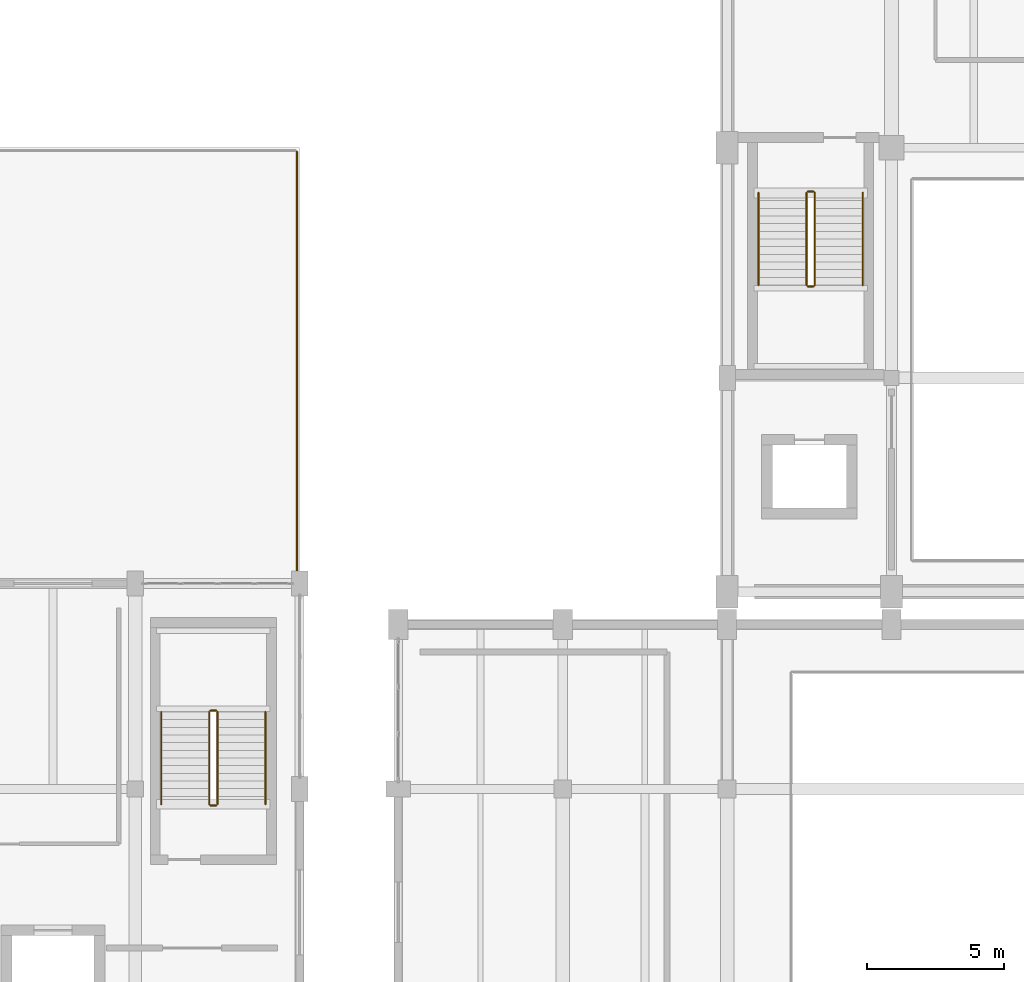
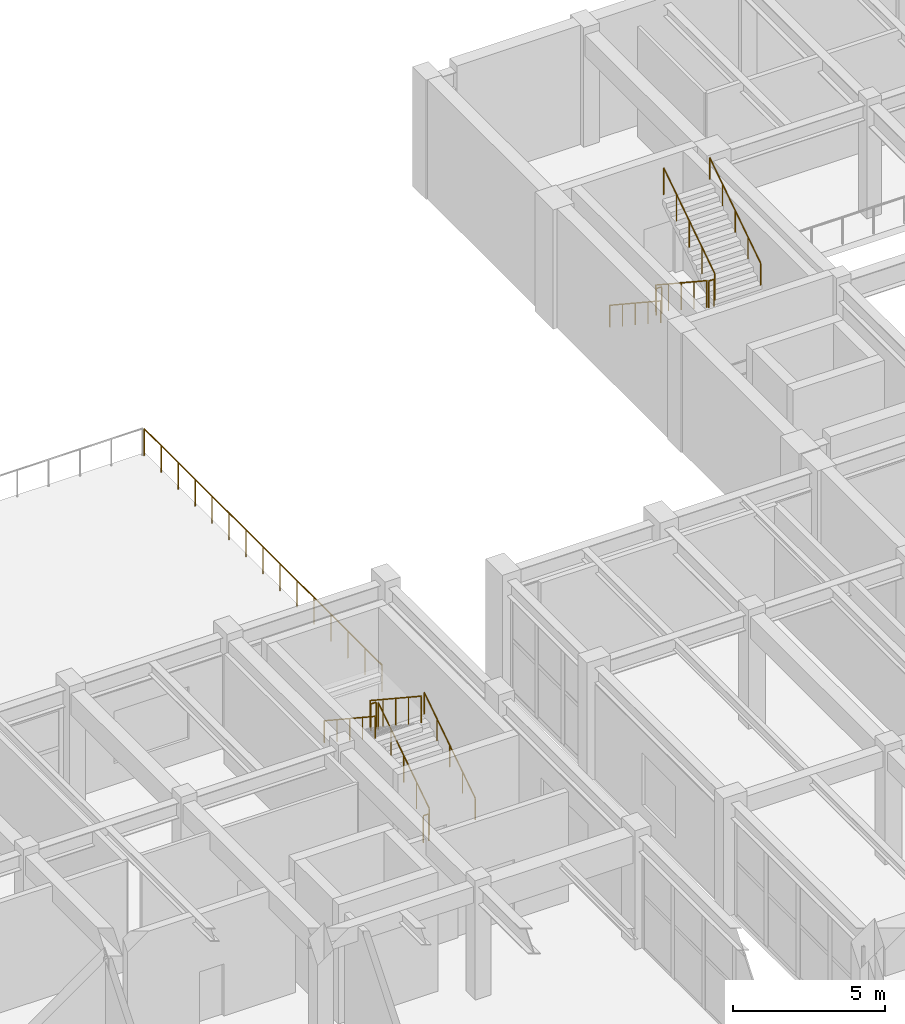
# One storey, part 77 of 80: 13 railings.
"""IFC4 building model written with IfcOpenShell, lengths in metres."""

from ifc_helpers import new_model, si_unit, direction, frame, origin, origin_2d, place, context, subcontext, project, spatial, circle, extrude, material, type_object, element, save


model = new_model("IFC4")

# Units and contexts
model_context = context("Model", 3, precision=1e-05, world=origin(), true_north=direction((0.0, 1.0)))
body_context = subcontext(model_context, "Body", "Model", "MODEL_VIEW")
ifc_project = project(units=[si_unit("LENGTHUNIT", "METRE"), si_unit("AREAUNIT", "SQUARE_METRE"), si_unit("VOLUMEUNIT", "CUBIC_METRE"), si_unit("PLANEANGLEUNIT", "RADIAN"), si_unit("MASSUNIT", "GRAM", prefix="KILO")], contexts=[model_context])

# Site, building, storey
site_placement = place(None, origin())
site = spatial("IfcSite", under=ifc_project, at=site_placement, CompositionType="ELEMENT")
building_placement = place(site_placement, origin())
building = spatial("IfcBuilding", under=site, at=building_placement, Name="Vaelkrest Opera House", CompositionType="ELEMENT")
storey_placement = place(building_placement, frame((0.0, 0.0, 15.0)))
storey = spatial("IfcBuildingStorey", under=building, at=storey_placement, Name="L03", CompositionType="ELEMENT", Elevation=15.0)

# Railings
ifc_material = material(Name="Dark bronze anodized aluminium", Category="aluminium")
railing_type_1 = type_object("IfcRailingType", Name="GR01", PredefinedType="GUARDRAIL", material=ifc_material)
railing_1_placement = place(storey_placement, frame((-33.699951171875, 33.4599609375, 0.0)))
element("IfcRailing", 1, at=railing_1_placement, inside=storey, type_object=railing_type_1, Name="L03 Rehearsal Roof Garden guardrail seg 3", PredefinedType="GUARDRAIL", context=body_context, shape_type="SweptSolid", body=[
    extrude(circle(Radius=0.02392578125, at=origin_2d()), frame((0.0, 0.0, 1.076171875), z_axis=(0.0, -1.0, 0.0), x_axis=(1.0, 0.0, 0.0)), (0.0, 0.0, 1.0), 15.669921875),
    extrude(circle(Radius=0.02099609375, at=origin_2d()), origin(), (0.0, 0.0, 1.0), 1.052001953125),
    extrude(circle(Radius=0.02099609375, at=origin_2d()), frame((0.0, -1.119384765625, 0.0)), (0.0, 0.0, 1.0), 1.052001953125),
    extrude(circle(Radius=0.02099609375, at=origin_2d()), frame((0.0, -2.238525390625, 0.0)), (0.0, 0.0, 1.0), 1.052001953125),
    extrude(circle(Radius=0.02099609375, at=origin_2d()), frame((0.0, -3.35791015625, 0.0)), (0.0, 0.0, 1.0), 1.052001953125),
    extrude(circle(Radius=0.02099609375, at=origin_2d()), frame((0.0, -4.47705078125, 0.0)), (0.0, 0.0, 1.0), 1.052001953125),
    extrude(circle(Radius=0.02099609375, at=origin_2d()), frame((0.0, -5.596435546875, 0.0)), (0.0, 0.0, 1.0), 1.052001953125),
    extrude(circle(Radius=0.02099609375, at=origin_2d()), frame((0.0, -6.715576171875, 0.0)), (0.0, 0.0, 1.0), 1.052001953125),
    extrude(circle(Radius=0.02099609375, at=origin_2d()), frame((0.0, -7.8349609375, 0.0)), (0.0, 0.0, 1.0), 1.052001953125),
    extrude(circle(Radius=0.02099609375, at=origin_2d()), frame((0.0, -8.954345703125, 0.0)), (0.0, 0.0, 1.0), 1.052001953125),
    extrude(circle(Radius=0.02099609375, at=origin_2d()), frame((0.0, -10.073486328125, 0.0)), (0.0, 0.0, 1.0), 1.052001953125),
    extrude(circle(Radius=0.02099609375, at=origin_2d()), frame((0.0, -11.19287109375, 0.0)), (0.0, 0.0, 1.0), 1.052001953125),
    extrude(circle(Radius=0.02099609375, at=origin_2d()), frame((0.0, -12.31201171875, 0.0)), (0.0, 0.0, 1.0), 1.052001953125),
    extrude(circle(Radius=0.02099609375, at=origin_2d()), frame((0.0, -13.431396484375, 0.0)), (0.0, 0.0, 1.0), 1.052001953125),
    extrude(circle(Radius=0.02099609375, at=origin_2d()), frame((0.0, -14.550537109375, 0.0)), (0.0, 0.0, 1.0), 1.052001953125),
    extrude(circle(Radius=0.02099609375, at=origin_2d()), frame((0.0, -15.669921875, 0.0)), (0.0, 0.0, 1.0), 1.052001953125),
])
railing_type_2 = type_object("IfcRailingType", Name="GR02", PredefinedType="GUARDRAIL", material=ifc_material)
railing_2_placement = place(storey_placement, frame((-15.10009765625, 31.949951171875, 0.1845703125)))
element("IfcRailing", 2, at=railing_2_placement, inside=storey, type_object=railing_type_2, Name="L03 ST05 stair guard 1", PredefinedType="GUARDRAIL", context=body_context, shape_type="SweptSolid", body=[
    extrude(circle(Radius=0.02392578125, at=origin_2d()), frame((0.0, 0.0, 1.076171875), z_axis=(0.0, -0.834858096282, 0.550465220583), x_axis=(1.0, 0.0, 0.0)), (0.0, 0.0, 1.0), 4.0244140625),
    extrude(circle(Radius=0.02099609375, at=origin_2d()), origin(), (0.0, 0.0, 1.0), 1.052001953125),
    extrude(circle(Radius=0.02099609375, at=origin_2d()), frame((0.0, -0.83984375, 0.5537109375)), (0.0, 0.0, 1.0), 1.052001953125),
    extrude(circle(Radius=0.02099609375, at=origin_2d()), frame((0.0, -1.679931640625, 1.107666015625)), (0.0, 0.0, 1.0), 1.052001953125),
    extrude(circle(Radius=0.02099609375, at=origin_2d()), frame((0.0, -2.52001953125, 1.66162109375)), (0.0, 0.0, 1.0), 1.052001953125),
    extrude(circle(Radius=0.02099609375, at=origin_2d()), frame((0.0, -3.35986328125, 2.21533203125)), (0.0, 0.0, 1.0), 1.052001953125),
])
railing_3_placement = place(storey_placement, frame((-15.050048828125, 28.5400390625, 2.39990234375)))
element("IfcRailing", 3, at=railing_3_placement, inside=storey, type_object=railing_type_2, Name="L03 ST05 stair guard 2", PredefinedType="GUARDRAIL", context=body_context, shape_type="SweptSolid", body=[
    extrude(circle(Radius=0.02392578125, at=origin_2d()), frame((0.0, 0.0, 1.076171875), z_axis=(1.0, 0.0, 0.0), x_axis=(0.0, 1.0, 0.0)), (0.0, 0.0, 1.0), 0.199951171875),
    extrude(circle(Radius=0.02099609375, at=origin_2d()), origin(), (0.0, 0.0, 1.0), 1.052001953125),
    extrude(circle(Radius=0.02099609375, at=origin_2d()), frame((0.199951171875, 0.0, 0.0)), (0.0, 0.0, 1.0), 1.052001953125),
])
railing_4_placement = place(storey_placement, frame((-14.800048828125, 28.590087890625, 2.584716796875)))
element("IfcRailing", 4, at=railing_4_placement, inside=storey, type_object=railing_type_2, Name="L03 ST05 stair guard 3", PredefinedType="GUARDRAIL", context=body_context, shape_type="SweptSolid", body=[
    extrude(circle(Radius=0.02392578125, at=origin_2d()), frame((0.0, 0.0, 1.076171875), z_axis=(0.0, 0.834858096282, 0.550465220583), x_axis=(-1.0, 0.0, 0.0)), (0.0, 0.0, 1.0), 4.0244140625),
    extrude(circle(Radius=0.02099609375, at=origin_2d()), origin(), (0.0, 0.0, 1.0), 1.052001953125),
    extrude(circle(Radius=0.02099609375, at=origin_2d()), frame((0.0, 0.83984375, 0.5537109375)), (0.0, 0.0, 1.0), 1.052001953125),
    extrude(circle(Radius=0.02099609375, at=origin_2d()), frame((0.0, 1.679931640625, 1.107666015625)), (0.0, 0.0, 1.0), 1.052001953125),
    extrude(circle(Radius=0.02099609375, at=origin_2d()), frame((0.0, 2.52001953125, 1.66162109375)), (0.0, 0.0, 1.0), 1.052001953125),
    extrude(circle(Radius=0.02099609375, at=origin_2d()), frame((0.0, 3.35986328125, 2.21533203125)), (0.0, 0.0, 1.0), 1.052001953125),
])
railing_5_placement = place(storey_placement, frame((-15.050048828125, 32.0, 0.0)))
element("IfcRailing", 5, at=railing_5_placement, inside=storey, type_object=railing_type_2, Name="L03 ST05 stair guard 4", PredefinedType="GUARDRAIL", context=body_context, shape_type="SweptSolid", body=[
    extrude(circle(Radius=0.02392578125, at=origin_2d()), frame((0.0, 0.0, 1.076171875), z_axis=(1.0, 0.0, 0.0), x_axis=(0.0, 1.0, 0.0)), (0.0, 0.0, 1.0), 0.199951171875),
    extrude(circle(Radius=0.02099609375, at=origin_2d()), origin(), (0.0, 0.0, 1.0), 1.052001953125),
    extrude(circle(Radius=0.02099609375, at=origin_2d()), frame((0.199951171875, 0.0, 0.0)), (0.0, 0.0, 1.0), 1.052001953125),
])
railing_6_placement = place(storey_placement, frame((-36.60009765625, 9.64990234375, 0.1845703125)))
element("IfcRailing", 6, at=railing_6_placement, inside=storey, type_object=railing_type_2, Name="L03 ST08 stair guard 1", PredefinedType="GUARDRAIL", context=body_context, shape_type="SweptSolid", body=[
    extrude(circle(Radius=0.02392578125, at=origin_2d()), frame((0.0, 0.0, 1.076171875), z_axis=(0.0, 0.834876476806, 0.550437342915), x_axis=(-1.0, 0.0, 0.0)), (0.0, 0.0, 1.0), 4.024658203125),
    extrude(circle(Radius=0.02099609375, at=origin_2d()), origin(), (0.0, 0.0, 1.0), 1.052001953125),
    extrude(circle(Radius=0.02099609375, at=origin_2d()), frame((0.0, 0.840087890625, 0.5537109375)), (0.0, 0.0, 1.0), 1.052001953125),
    extrude(circle(Radius=0.02099609375, at=origin_2d()), frame((0.0, 1.68017578125, 1.107666015625)), (0.0, 0.0, 1.0), 1.052001953125),
    extrude(circle(Radius=0.02099609375, at=origin_2d()), frame((0.0, 2.52001953125, 1.66162109375)), (0.0, 0.0, 1.0), 1.052001953125),
    extrude(circle(Radius=0.02099609375, at=origin_2d()), frame((0.0, 3.360107421875, 2.21533203125)), (0.0, 0.0, 1.0), 1.052001953125),
])
railing_7_placement = place(storey_placement, frame((-36.64990234375, 13.06005859375, 2.39990234375)))
element("IfcRailing", 7, at=railing_7_placement, inside=storey, type_object=railing_type_2, Name="L03 ST08 stair guard 2", PredefinedType="GUARDRAIL", context=body_context, shape_type="SweptSolid", body=[
    extrude(circle(Radius=0.02392578125, at=origin_2d()), frame((0.0, 0.0, 1.076171875), z_axis=(-1.0, 0.0, 0.0), x_axis=(0.0, -1.0, 0.0)), (0.0, 0.0, 1.0), 0.2001953125),
    extrude(circle(Radius=0.02099609375, at=origin_2d()), origin(), (0.0, 0.0, 1.0), 1.052001953125),
    extrude(circle(Radius=0.02099609375, at=origin_2d()), frame((-0.2001953125, 0.0, 0.0)), (0.0, 0.0, 1.0), 1.052001953125),
])
railing_8_placement = place(storey_placement, frame((-36.89990234375, 13.010009765625, 2.584716796875)))
element("IfcRailing", 8, at=railing_8_placement, inside=storey, type_object=railing_type_2, Name="L03 ST08 stair guard 3", PredefinedType="GUARDRAIL", context=body_context, shape_type="SweptSolid", body=[
    extrude(circle(Radius=0.02392578125, at=origin_2d()), frame((0.0, 0.0, 1.076171875), z_axis=(0.0, -0.834876476806, 0.550437342915), x_axis=(1.0, 0.0, 0.0)), (0.0, 0.0, 1.0), 4.024658203125),
    extrude(circle(Radius=0.02099609375, at=origin_2d()), origin(), (0.0, 0.0, 1.0), 1.052001953125),
    extrude(circle(Radius=0.02099609375, at=origin_2d()), frame((0.0, -0.840087890625, 0.5537109375)), (0.0, 0.0, 1.0), 1.052001953125),
    extrude(circle(Radius=0.02099609375, at=origin_2d()), frame((0.0, -1.68017578125, 1.107666015625)), (0.0, 0.0, 1.0), 1.052001953125),
    extrude(circle(Radius=0.02099609375, at=origin_2d()), frame((0.0, -2.52001953125, 1.66162109375)), (0.0, 0.0, 1.0), 1.052001953125),
    extrude(circle(Radius=0.02099609375, at=origin_2d()), frame((0.0, -3.360107421875, 2.21533203125)), (0.0, 0.0, 1.0), 1.052001953125),
])
railing_9_placement = place(storey_placement, frame((-36.64990234375, 9.60009765625, 0.0)))
element("IfcRailing", 9, at=railing_9_placement, inside=storey, type_object=railing_type_2, Name="L03 ST08 stair guard 4", PredefinedType="GUARDRAIL", context=body_context, shape_type="SweptSolid", body=[
    extrude(circle(Radius=0.02392578125, at=origin_2d()), frame((0.0, 0.0, 1.076171875), z_axis=(-1.0, 0.0, 0.0), x_axis=(0.0, -1.0, 0.0)), (0.0, 0.0, 1.0), 0.2001953125),
    extrude(circle(Radius=0.02099609375, at=origin_2d()), origin(), (0.0, 0.0, 1.0), 1.052001953125),
    extrude(circle(Radius=0.02099609375, at=origin_2d()), frame((-0.2001953125, 0.0, 0.0)), (0.0, 0.0, 1.0), 1.052001953125),
])
railing_type_3 = type_object("IfcRailingType", Name="HR02", PredefinedType="HANDRAIL", material=ifc_material)
railing_10_placement = place(storey_placement, frame((-16.85009765625, 31.949951171875, 0.1845703125)))
element("IfcRailing", 10, at=railing_10_placement, inside=storey, type_object=railing_type_3, Name="L03 ST05 stair handrail 1", PredefinedType="HANDRAIL", context=body_context, shape_type="SweptSolid", body=[
    extrude(circle(Radius=0.02392578125, at=origin_2d()), frame((0.0, 0.0, 0.8759765625), z_axis=(0.0, -0.834858096282, 0.550465220583), x_axis=(1.0, 0.0, 0.0)), (0.0, 0.0, 1.0), 4.0244140625),
    extrude(circle(Radius=0.02099609375, at=origin_2d()), origin(), (0.0, 0.0, 1.0), 0.851806640625),
    extrude(circle(Radius=0.02099609375, at=origin_2d()), frame((0.0, -0.83984375, 0.5537109375)), (0.0, 0.0, 1.0), 0.851806640625),
    extrude(circle(Radius=0.02099609375, at=origin_2d()), frame((0.0, -1.679931640625, 1.107666015625)), (0.0, 0.0, 1.0), 0.851806640625),
    extrude(circle(Radius=0.02099609375, at=origin_2d()), frame((0.0, -2.52001953125, 1.66162109375)), (0.0, 0.0, 1.0), 0.851806640625),
    extrude(circle(Radius=0.02099609375, at=origin_2d()), frame((0.0, -3.35986328125, 2.21533203125)), (0.0, 0.0, 1.0), 0.851806640625),
])
railing_11_placement = place(storey_placement, frame((-13.050048828125, 28.590087890625, 2.584716796875)))
element("IfcRailing", 11, at=railing_11_placement, inside=storey, type_object=railing_type_3, Name="L03 ST05 stair handrail 2", PredefinedType="HANDRAIL", context=body_context, shape_type="SweptSolid", body=[
    extrude(circle(Radius=0.02392578125, at=origin_2d()), frame((0.0, 0.0, 0.8759765625), z_axis=(0.0, 0.834858096282, 0.550465220583), x_axis=(-1.0, 0.0, 0.0)), (0.0, 0.0, 1.0), 4.0244140625),
    extrude(circle(Radius=0.02099609375, at=origin_2d()), origin(), (0.0, 0.0, 1.0), 0.851806640625),
    extrude(circle(Radius=0.02099609375, at=origin_2d()), frame((0.0, 0.83984375, 0.5537109375)), (0.0, 0.0, 1.0), 0.851806640625),
    extrude(circle(Radius=0.02099609375, at=origin_2d()), frame((0.0, 1.679931640625, 1.107666015625)), (0.0, 0.0, 1.0), 0.851806640625),
    extrude(circle(Radius=0.02099609375, at=origin_2d()), frame((0.0, 2.52001953125, 1.66162109375)), (0.0, 0.0, 1.0), 0.851806640625),
    extrude(circle(Radius=0.02099609375, at=origin_2d()), frame((0.0, 3.35986328125, 2.21533203125)), (0.0, 0.0, 1.0), 0.851806640625),
])
railing_12_placement = place(storey_placement, frame((-34.85009765625, 9.64990234375, 0.1845703125)))
element("IfcRailing", 12, at=railing_12_placement, inside=storey, type_object=railing_type_3, Name="L03 ST08 stair handrail 1", PredefinedType="HANDRAIL", context=body_context, shape_type="SweptSolid", body=[
    extrude(circle(Radius=0.02392578125, at=origin_2d()), frame((0.0, 0.0, 0.8759765625), z_axis=(0.0, 0.834876476806, 0.550437342915), x_axis=(-1.0, 0.0, 0.0)), (0.0, 0.0, 1.0), 4.024658203125),
    extrude(circle(Radius=0.02099609375, at=origin_2d()), origin(), (0.0, 0.0, 1.0), 0.851806640625),
    extrude(circle(Radius=0.02099609375, at=origin_2d()), frame((0.0, 0.840087890625, 0.5537109375)), (0.0, 0.0, 1.0), 0.851806640625),
    extrude(circle(Radius=0.02099609375, at=origin_2d()), frame((0.0, 1.68017578125, 1.107666015625)), (0.0, 0.0, 1.0), 0.851806640625),
    extrude(circle(Radius=0.02099609375, at=origin_2d()), frame((0.0, 2.52001953125, 1.66162109375)), (0.0, 0.0, 1.0), 0.851806640625),
    extrude(circle(Radius=0.02099609375, at=origin_2d()), frame((0.0, 3.360107421875, 2.21533203125)), (0.0, 0.0, 1.0), 0.851806640625),
])
railing_13_placement = place(storey_placement, frame((-38.64990234375, 13.010009765625, 2.584716796875)))
element("IfcRailing", 13, at=railing_13_placement, inside=storey, type_object=railing_type_3, Name="L03 ST08 stair handrail 2", PredefinedType="HANDRAIL", context=body_context, shape_type="SweptSolid", body=[
    extrude(circle(Radius=0.02392578125, at=origin_2d()), frame((0.0, 0.0, 0.8759765625), z_axis=(0.0, -0.834876476806, 0.550437342915), x_axis=(1.0, 0.0, 0.0)), (0.0, 0.0, 1.0), 4.024658203125),
    extrude(circle(Radius=0.02099609375, at=origin_2d()), origin(), (0.0, 0.0, 1.0), 0.851806640625),
    extrude(circle(Radius=0.02099609375, at=origin_2d()), frame((0.0, -0.840087890625, 0.5537109375)), (0.0, 0.0, 1.0), 0.851806640625),
    extrude(circle(Radius=0.02099609375, at=origin_2d()), frame((0.0, -1.68017578125, 1.107666015625)), (0.0, 0.0, 1.0), 0.851806640625),
    extrude(circle(Radius=0.02099609375, at=origin_2d()), frame((0.0, -2.52001953125, 1.66162109375)), (0.0, 0.0, 1.0), 0.851806640625),
    extrude(circle(Radius=0.02099609375, at=origin_2d()), frame((0.0, -3.360107421875, 2.21533203125)), (0.0, 0.0, 1.0), 0.851806640625),
])

save(model, "model.ifc")
